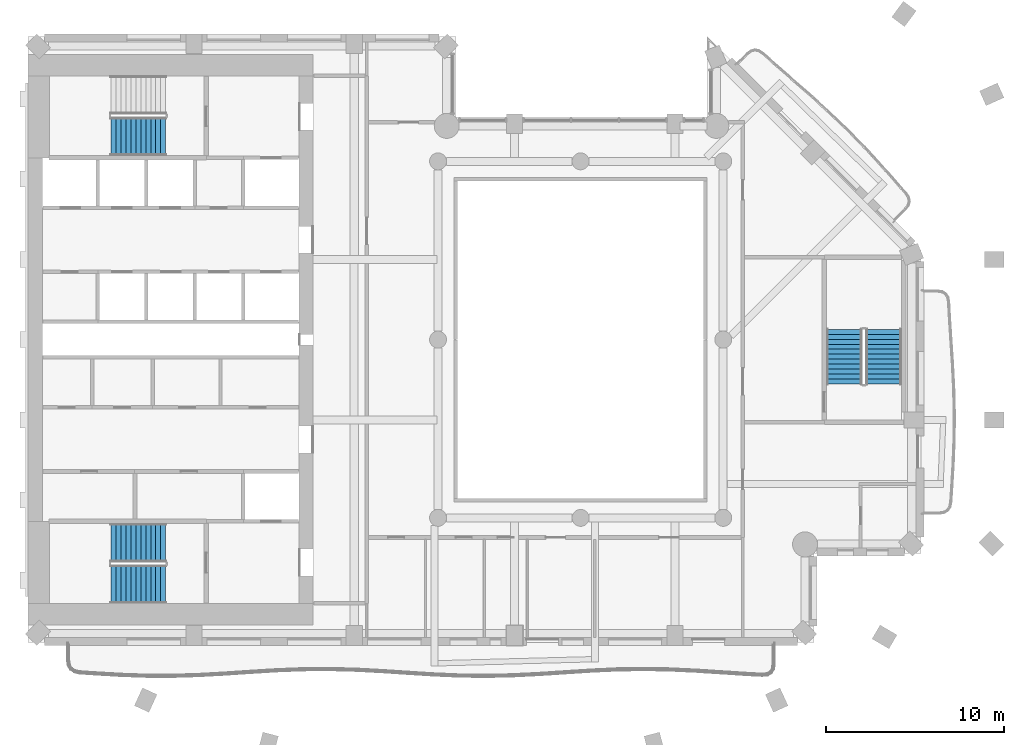
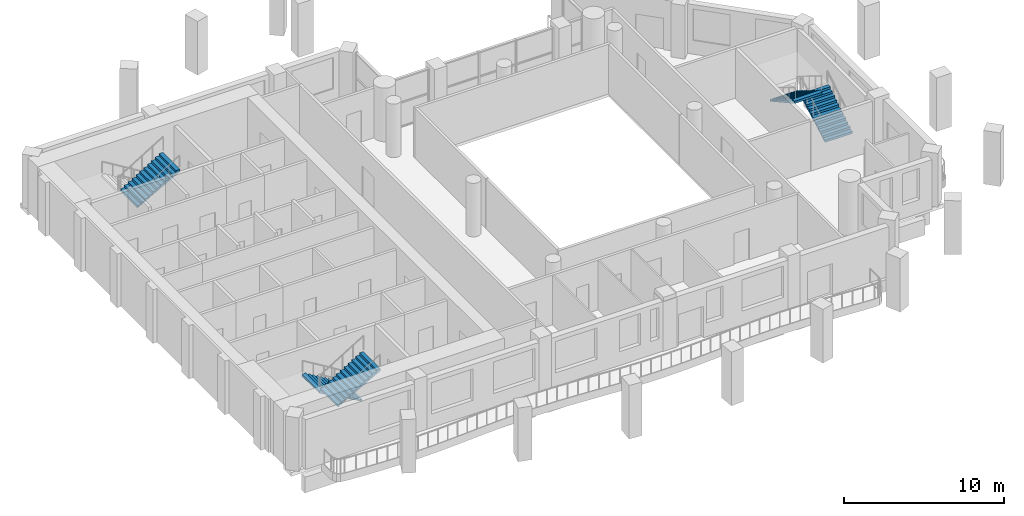
# One storey, part 7 of 13: 5 stair flights, 3 elements without a shape of their own.
"""IFC4 building model written with IfcOpenShell, lengths in metres."""

from ifc_helpers import new_model, si_unit, direction, frame, origin, place, context, subcontext, project, spatial, triangles, material, type_object, element, aggregate, save


model = new_model("IFC4")

# Units and contexts
model_context = context("Model", 3, precision=1e-05, world=origin(), true_north=direction((0.0, 1.0)))
body_context = subcontext(model_context, "Body", "Model", "MODEL_VIEW")
ifc_project = project(units=[si_unit("LENGTHUNIT", "METRE"), si_unit("AREAUNIT", "SQUARE_METRE"), si_unit("VOLUMEUNIT", "CUBIC_METRE"), si_unit("PLANEANGLEUNIT", "RADIAN"), si_unit("MASSUNIT", "GRAM", prefix="KILO")], contexts=[model_context])

# Site, building, storey
site_placement = place(None, origin())
site = spatial("IfcSite", under=ifc_project, at=site_placement, CompositionType="ELEMENT")
building_placement = place(site_placement, origin())
building = spatial("IfcBuilding", under=site, at=building_placement, Name="Cypress Arch Tower", CompositionType="ELEMENT")
storey_placement = place(building_placement, frame((0.0, 0.0, 189.199951171875)))
storey = spatial("IfcBuildingStorey", under=building, at=storey_placement, Name="L41", CompositionType="ELEMENT", Elevation=189.199951171875)

# Stair, stair flights
ifc_material_1 = material(Name="Concrete C40/50", Category="concrete")
stair_type_1 = type_object("IfcStairType", Name="Exit stair ES1708-200", PredefinedType="HALF_TURN_STAIR", material=ifc_material_1)
stair_1_placement = place(storey_placement, origin())
stair_1 = element("IfcStair", 1, at=stair_1_placement, inside=storey, type_object=stair_type_1, Name="L41 Exit stair C", PredefinedType="HALF_TURN_STAIR")
ifc_material_2 = material(Name="Concrete C40/50", Category="concrete")
stair_flight_type_1 = type_object("IfcStairFlightType", Name="Exit stair flight ES1708-200", PredefinedType="STRAIGHT", material=ifc_material_2)
stair_flight_1_placement = place(storey_placement, frame((18.0, -2.5, 0.0), z_axis=(0.0, 0.0, 1.0), x_axis=(0.0, 1.0, 0.0)))
stair_flight_1 = element("IfcStairFlight", 2, at=stair_flight_1_placement, type_object=stair_flight_type_1, Name="C flight 1", NumberOfRisers=12, NumberOfTreads=11, PredefinedType="STRAIGHT", RiserHeight=0.170833333, TreadLength=0.28, context=body_context, shape_type="Tessellation", body=[
    triangles([(0.0, -1.0, 0.0), (0.0, -1.0, 0.1708984375), (0.280029296875, -1.0, 0.1708984375), (0.280029296875, -1.0, 0.341552734375), (0.56005859375, -1.0, 0.341552734375), (0.56005859375, -1.0, 0.512451171875), (0.840087890625, -1.0, 0.512451171875), (0.840087890625, -1.0, 0.683349609375), (1.1201171875, -1.0, 0.683349609375), (1.1201171875, -1.0, 0.854248046875), (1.39990234375, -1.0, 0.854248046875), (1.39990234375, -1.0, 1.02490234375), (1.679931640625, -1.0, 1.02490234375), (1.679931640625, -1.0, 1.19580078125), (1.9599609375, -1.0, 1.19580078125), (1.9599609375, -1.0, 1.36669921875), (2.239990234375, -1.0, 1.36669921875), (2.239990234375, -1.0, 1.53759765625), (2.52001953125, -1.0, 1.53759765625), (2.52001953125, -1.0, 1.708251953125), (2.800048828125, -1.0, 1.708251953125), (2.800048828125, -1.0, 1.879150390625), (3.080078125, -1.0, 1.879150390625), (3.080078125, -1.0, 1.70361328125), (3.080078125, 1.0, 1.70361328125), (3.080078125, 1.0, 1.879150390625), (2.800048828125, 1.0, 1.879150390625), (2.800048828125, 1.0, 1.708251953125), (2.52001953125, 1.0, 1.708251953125), (2.52001953125, 1.0, 1.53759765625), (2.239990234375, 1.0, 1.53759765625), (2.239990234375, 1.0, 1.36669921875), (1.9599609375, 1.0, 1.36669921875), (1.9599609375, 1.0, 1.19580078125), (1.679931640625, 1.0, 1.19580078125), (1.679931640625, 1.0, 1.02490234375), (1.39990234375, 1.0, 1.02490234375), (1.39990234375, 1.0, 0.854248046875), (1.1201171875, 1.0, 0.854248046875), (1.1201171875, 1.0, 0.683349609375), (0.840087890625, 1.0, 0.683349609375), (0.840087890625, 1.0, 0.512451171875), (0.56005859375, 1.0, 0.512451171875), (0.56005859375, 1.0, 0.341552734375), (0.280029296875, 1.0, 0.341552734375), (0.280029296875, 1.0, 0.1708984375), (0.0, 1.0, 0.1708984375), (0.0, 1.0, 0.0), (3.080078125, 0.0, 1.879150390625), (3.080078125, 0.0, 1.70361328125), (2.800048828125, 0.0, 1.879150390625), (2.800048828125, 0.0, 1.708251953125), (2.52001953125, 0.0, 1.708251953125), (2.52001953125, 0.0, 1.53759765625), (2.239990234375, 0.0, 1.53759765625), (2.239990234375, 0.0, 1.36669921875), (1.9599609375, 0.0, 1.36669921875), (1.9599609375, 0.0, 1.19580078125), (1.679931640625, 0.0, 1.19580078125), (1.679931640625, 0.0, 1.02490234375), (1.39990234375, 0.0, 1.02490234375), (1.39990234375, 0.0, 0.854248046875), (1.1201171875, 0.0, 0.854248046875), (1.1201171875, 0.0, 0.683349609375), (0.840087890625, 0.0, 0.683349609375), (0.840087890625, 0.0, 0.512451171875), (0.56005859375, 0.0, 0.512451171875), (0.56005859375, 0.0, 0.341552734375), (0.280029296875, 0.0, 0.341552734375), (0.280029296875, 0.0, 0.1708984375), (0.0, 0.0, 0.1708984375), (0.0, 0.0, 0.0)], [[24, 23, 22], [11, 10, 9], [19, 18, 17], [17, 16, 15], [15, 14, 13], [9, 8, 7], [7, 6, 5], [3, 2, 1], [21, 20, 19], [13, 12, 11], [5, 4, 3], [24, 22, 21], [24, 21, 19], [24, 19, 17], [24, 17, 15], [24, 15, 13], [24, 13, 11], [24, 11, 9], [24, 9, 7], [24, 7, 5], [1, 24, 5], [5, 3, 1], [25, 27, 26], [38, 40, 39], [30, 32, 31], [32, 34, 33], [34, 36, 35], [40, 42, 41], [42, 44, 43], [46, 48, 47], [28, 30, 29], [36, 38, 37], [44, 46, 45], [25, 28, 27], [25, 30, 28], [25, 32, 30], [25, 34, 32], [25, 36, 34], [25, 38, 36], [25, 40, 38], [25, 42, 40], [25, 44, 42], [48, 44, 25], [44, 48, 46], [50, 49, 23], [50, 23, 24], [25, 26, 49], [25, 49, 50], [49, 51, 22], [49, 22, 23], [26, 27, 51], [26, 51, 49], [51, 52, 21], [51, 21, 22], [27, 28, 52], [27, 52, 51], [52, 53, 20], [52, 20, 21], [28, 29, 53], [28, 53, 52], [53, 54, 19], [53, 19, 20], [29, 30, 54], [29, 54, 53], [54, 55, 18], [54, 18, 19], [30, 31, 55], [30, 55, 54], [55, 56, 17], [55, 17, 18], [31, 32, 56], [31, 56, 55], [56, 57, 16], [56, 16, 17], [32, 33, 57], [32, 57, 56], [57, 58, 15], [57, 15, 16], [33, 34, 58], [33, 58, 57], [58, 59, 14], [58, 14, 15], [34, 35, 59], [34, 59, 58], [59, 60, 13], [59, 13, 14], [35, 36, 60], [35, 60, 59], [60, 61, 12], [60, 12, 13], [36, 37, 61], [36, 61, 60], [61, 62, 11], [61, 11, 12], [37, 38, 62], [37, 62, 61], [62, 63, 10], [62, 10, 11], [38, 39, 63], [38, 63, 62], [63, 64, 9], [63, 9, 10], [39, 40, 64], [39, 64, 63], [64, 65, 8], [64, 8, 9], [40, 41, 65], [40, 65, 64], [65, 66, 7], [65, 7, 8], [41, 42, 66], [41, 66, 65], [66, 67, 6], [66, 6, 7], [42, 43, 67], [42, 67, 66], [67, 68, 5], [67, 5, 6], [43, 44, 68], [43, 68, 67], [68, 69, 4], [68, 4, 5], [44, 45, 69], [44, 69, 68], [69, 70, 3], [69, 3, 4], [45, 46, 70], [45, 70, 69], [70, 71, 2], [70, 2, 3], [46, 47, 71], [46, 71, 70], [71, 72, 1], [71, 1, 2], [47, 48, 72], [47, 72, 71], [72, 50, 24], [72, 24, 1], [48, 25, 50], [48, 50, 72]], closed=True),
])
stair_flight_2_placement = place(storey_placement, frame((15.800048828125, 0.580078125, 2.050048828125), z_axis=(0.0, 0.0, 1.0), x_axis=(0.0, -1.0, 0.0)))
stair_flight_2 = element("IfcStairFlight", 3, at=stair_flight_2_placement, type_object=stair_flight_type_1, Name="C flight 2", NumberOfRisers=12, NumberOfTreads=11, PredefinedType="STRAIGHT", RiserHeight=0.170833333, TreadLength=0.28, context=body_context, shape_type="Tessellation", body=[
    triangles([(0.0, -1.0, 0.0), (0.0, -1.0, 0.1708984375), (0.280029296875, -1.0, 0.1708984375), (0.280029296875, -1.0, 0.341552734375), (0.56005859375, -1.0, 0.341552734375), (0.56005859375, -1.0, 0.512451171875), (0.840087890625, -1.0, 0.512451171875), (0.840087890625, -1.0, 0.683349609375), (1.1201171875, -1.0, 0.683349609375), (1.1201171875, -1.0, 0.854248046875), (1.39990234375, -1.0, 0.854248046875), (1.39990234375, -1.0, 1.02490234375), (1.679931640625, -1.0, 1.02490234375), (1.679931640625, -1.0, 1.19580078125), (1.9599609375, -1.0, 1.19580078125), (1.9599609375, -1.0, 1.36669921875), (2.239990234375, -1.0, 1.36669921875), (2.239990234375, -1.0, 1.53759765625), (2.52001953125, -1.0, 1.53759765625), (2.52001953125, -1.0, 1.708251953125), (2.800048828125, -1.0, 1.708251953125), (2.800048828125, -1.0, 1.879150390625), (3.080078125, -1.0, 1.879150390625), (3.080078125, -1.0, 1.70361328125), (3.080078125, 1.0, 1.70361328125), (3.080078125, 1.0, 1.879150390625), (2.800048828125, 1.0, 1.879150390625), (2.800048828125, 1.0, 1.708251953125), (2.52001953125, 1.0, 1.708251953125), (2.52001953125, 1.0, 1.53759765625), (2.239990234375, 1.0, 1.53759765625), (2.239990234375, 1.0, 1.36669921875), (1.9599609375, 1.0, 1.36669921875), (1.9599609375, 1.0, 1.19580078125), (1.679931640625, 1.0, 1.19580078125), (1.679931640625, 1.0, 1.02490234375), (1.39990234375, 1.0, 1.02490234375), (1.39990234375, 1.0, 0.854248046875), (1.1201171875, 1.0, 0.854248046875), (1.1201171875, 1.0, 0.683349609375), (0.840087890625, 1.0, 0.683349609375), (0.840087890625, 1.0, 0.512451171875), (0.56005859375, 1.0, 0.512451171875), (0.56005859375, 1.0, 0.341552734375), (0.280029296875, 1.0, 0.341552734375), (0.280029296875, 1.0, 0.1708984375), (0.0, 1.0, 0.1708984375), (0.0, 1.0, 0.0), (3.080078125, 0.0, 1.879150390625), (3.080078125, 0.0, 1.70361328125), (2.800048828125, 0.0, 1.879150390625), (2.800048828125, 0.0, 1.708251953125), (2.52001953125, 0.0, 1.708251953125), (2.52001953125, 0.0, 1.53759765625), (2.239990234375, 0.0, 1.53759765625), (2.239990234375, 0.0, 1.36669921875), (1.9599609375, 0.0, 1.36669921875), (1.9599609375, 0.0, 1.19580078125), (1.679931640625, 0.0, 1.19580078125), (1.679931640625, 0.0, 1.02490234375), (1.39990234375, 0.0, 1.02490234375), (1.39990234375, 0.0, 0.854248046875), (1.1201171875, 0.0, 0.854248046875), (1.1201171875, 0.0, 0.683349609375), (0.840087890625, 0.0, 0.683349609375), (0.840087890625, 0.0, 0.512451171875), (0.56005859375, 0.0, 0.512451171875), (0.56005859375, 0.0, 0.341552734375), (0.280029296875, 0.0, 0.341552734375), (0.280029296875, 0.0, 0.1708984375), (0.0, 0.0, 0.1708984375), (0.0, 0.0, 0.0)], [[24, 23, 22], [11, 10, 9], [19, 18, 17], [17, 16, 15], [15, 14, 13], [9, 8, 7], [7, 6, 5], [3, 2, 1], [21, 20, 19], [13, 12, 11], [5, 4, 3], [24, 22, 21], [24, 21, 19], [24, 19, 17], [24, 17, 15], [24, 15, 13], [24, 13, 11], [24, 11, 9], [24, 9, 7], [24, 7, 5], [1, 24, 5], [5, 3, 1], [25, 27, 26], [38, 40, 39], [30, 32, 31], [32, 34, 33], [34, 36, 35], [40, 42, 41], [42, 44, 43], [46, 48, 47], [28, 30, 29], [36, 38, 37], [44, 46, 45], [25, 28, 27], [25, 30, 28], [25, 32, 30], [25, 34, 32], [25, 36, 34], [25, 38, 36], [25, 40, 38], [25, 42, 40], [25, 44, 42], [48, 44, 25], [44, 48, 46], [50, 49, 23], [50, 23, 24], [25, 26, 49], [25, 49, 50], [49, 51, 22], [49, 22, 23], [26, 27, 51], [26, 51, 49], [51, 52, 21], [51, 21, 22], [27, 28, 52], [27, 52, 51], [52, 53, 20], [52, 20, 21], [28, 29, 53], [28, 53, 52], [53, 54, 19], [53, 19, 20], [29, 30, 54], [29, 54, 53], [54, 55, 18], [54, 18, 19], [30, 31, 55], [30, 55, 54], [55, 56, 17], [55, 17, 18], [31, 32, 56], [31, 56, 55], [56, 57, 16], [56, 16, 17], [32, 33, 57], [32, 57, 56], [57, 58, 15], [57, 15, 16], [33, 34, 58], [33, 58, 57], [58, 59, 14], [58, 14, 15], [34, 35, 59], [34, 59, 58], [59, 60, 13], [59, 13, 14], [35, 36, 60], [35, 60, 59], [60, 61, 12], [60, 12, 13], [36, 37, 61], [36, 61, 60], [61, 62, 11], [61, 11, 12], [37, 38, 62], [37, 62, 61], [62, 63, 10], [62, 10, 11], [38, 39, 63], [38, 63, 62], [63, 64, 9], [63, 9, 10], [39, 40, 64], [39, 64, 63], [64, 65, 8], [64, 8, 9], [40, 41, 65], [40, 65, 64], [65, 66, 7], [65, 7, 8], [41, 42, 66], [41, 66, 65], [66, 67, 6], [66, 6, 7], [42, 43, 67], [42, 67, 66], [67, 68, 5], [67, 5, 6], [43, 44, 68], [43, 68, 67], [68, 69, 4], [68, 4, 5], [44, 45, 69], [44, 69, 68], [69, 70, 3], [69, 3, 4], [45, 46, 70], [45, 70, 69], [70, 71, 2], [70, 2, 3], [46, 47, 71], [46, 71, 70], [71, 72, 1], [71, 1, 2], [47, 48, 72], [47, 72, 71], [72, 50, 24], [72, 24, 1], [48, 25, 50], [48, 50, 72]], closed=True),
])
aggregate(stair_1, [stair_flight_1, stair_flight_2])

ifc_material_3 = material(Name="Concrete C40/50", Category="concrete")
stair_type_2 = type_object("IfcStairType", Name="Exit stair ES1708-215", PredefinedType="HALF_TURN_STAIR", material=ifc_material_3)
stair_2_placement = place(storey_placement, origin())
stair_2 = element("IfcStair", 4, at=stair_2_placement, inside=storey, type_object=stair_type_2, Name="L41 Exit stair A", PredefinedType="HALF_TURN_STAIR")
ifc_material_4 = material(Name="Concrete C40/50", Category="concrete")
stair_flight_type_2 = type_object("IfcStairFlightType", Name="Exit stair flight ES1708-215", PredefinedType="STRAIGHT", material=ifc_material_4)
stair_flight_3_placement = place(storey_placement, frame((-22.27490234375, -11.39990234375, 0.0), z_axis=(0.0, 0.0, 1.0), x_axis=(-1.0, 0.0, 0.0)))
stair_flight_3 = element("IfcStairFlight", 5, at=stair_flight_3_placement, type_object=stair_flight_type_2, Name="A flight 1", NumberOfRisers=12, NumberOfTreads=11, PredefinedType="STRAIGHT", RiserHeight=0.170833333, TreadLength=0.28, context=body_context, shape_type="Tessellation", body=[
    triangles([(0.0, -1.074951171875, 0.0), (0.000244140625, -1.074951171875, 0.01904296875), (0.000244140625, -1.074951171875, 0.0380859375), (0.00048828125, -1.074951171875, 0.056884765625), (0.00048828125, -1.074951171875, 0.075927734375), (0.00048828125, -1.074951171875, 0.094970703125), (0.00048828125, -1.074951171875, 0.114013671875), (0.000244140625, -1.074951171875, 0.1328125), (0.000244140625, -1.074951171875, 0.15185546875), (0.0, -1.074951171875, 0.1708984375), (0.280029296875, -1.074951171875, 0.1708984375), (0.280029296875, -1.074951171875, 0.341552734375), (0.56005859375, -1.074951171875, 0.341552734375), (0.56005859375, -1.074951171875, 0.512451171875), (0.840087890625, -1.074951171875, 0.512451171875), (0.840087890625, -1.074951171875, 0.683349609375), (1.1201171875, -1.074951171875, 0.683349609375), (1.1201171875, -1.074951171875, 0.854248046875), (1.39990234375, -1.074951171875, 0.854248046875), (1.39990234375, -1.074951171875, 1.02490234375), (1.679931640625, -1.074951171875, 1.02490234375), (1.679931640625, -1.074951171875, 1.19580078125), (1.9599609375, -1.074951171875, 1.19580078125), (1.9599609375, -1.074951171875, 1.36669921875), (2.239990234375, -1.074951171875, 1.36669921875), (2.239990234375, -1.074951171875, 1.53759765625), (2.52001953125, -1.074951171875, 1.53759765625), (2.52001953125, -1.074951171875, 1.708251953125), (2.800048828125, -1.074951171875, 1.708251953125), (2.800048828125, -1.074951171875, 1.879150390625), (3.080078125, -1.074951171875, 1.879150390625), (3.079833984375, -1.074951171875, 1.859619140625), (3.079833984375, -1.074951171875, 1.840087890625), (3.07958984375, -1.074951171875, 1.820556640625), (3.07958984375, -1.074951171875, 1.801025390625), (3.07958984375, -1.074951171875, 1.78173828125), (3.07958984375, -1.074951171875, 1.76220703125), (3.079833984375, -1.074951171875, 1.74267578125), (3.079833984375, -1.074951171875, 1.72314453125), (3.080078125, -1.074951171875, 1.70361328125), (3.080078125, 1.074951171875, 1.70361328125), (3.079833984375, 1.074951171875, 1.72314453125), (3.079833984375, 1.074951171875, 1.74267578125), (3.07958984375, 1.074951171875, 1.76220703125), (3.07958984375, 1.074951171875, 1.78173828125), (3.07958984375, 1.074951171875, 1.801025390625), (3.07958984375, 1.074951171875, 1.820556640625), (3.079833984375, 1.074951171875, 1.840087890625), (3.079833984375, 1.074951171875, 1.859619140625), (3.080078125, 1.074951171875, 1.879150390625), (2.800048828125, 1.074951171875, 1.879150390625), (2.800048828125, 1.074951171875, 1.708251953125), (2.52001953125, 1.074951171875, 1.708251953125), (2.52001953125, 1.074951171875, 1.53759765625), (2.239990234375, 1.074951171875, 1.53759765625), (2.239990234375, 1.074951171875, 1.36669921875), (1.9599609375, 1.074951171875, 1.36669921875), (1.9599609375, 1.074951171875, 1.19580078125), (1.679931640625, 1.074951171875, 1.19580078125), (1.679931640625, 1.074951171875, 1.02490234375), (1.39990234375, 1.074951171875, 1.02490234375), (1.39990234375, 1.074951171875, 0.854248046875), (1.1201171875, 1.074951171875, 0.854248046875), (1.1201171875, 1.074951171875, 0.683349609375), (0.840087890625, 1.074951171875, 0.683349609375), (0.840087890625, 1.074951171875, 0.512451171875), (0.56005859375, 1.074951171875, 0.512451171875), (0.56005859375, 1.074951171875, 0.341552734375), (0.280029296875, 1.074951171875, 0.341552734375), (0.280029296875, 1.074951171875, 0.1708984375), (0.0, 1.074951171875, 0.1708984375), (0.000244140625, 1.074951171875, 0.15185546875), (0.000244140625, 1.074951171875, 0.1328125), (0.00048828125, 1.074951171875, 0.114013671875), (0.00048828125, 1.074951171875, 0.094970703125), (0.00048828125, 1.074951171875, 0.075927734375), (0.00048828125, 1.074951171875, 0.056884765625), (0.000244140625, 1.074951171875, 0.0380859375), (0.000244140625, 1.074951171875, 0.01904296875), (0.0, 1.074951171875, 0.0)], [[40, 39, 30], [39, 38, 30], [38, 37, 30], [37, 36, 30], [36, 35, 30], [35, 34, 30], [34, 33, 30], [33, 32, 30], [32, 31, 30], [19, 18, 17], [27, 26, 25], [25, 24, 23], [23, 22, 21], [17, 16, 15], [15, 14, 13], [10, 9, 11], [9, 8, 11], [8, 7, 11], [7, 6, 11], [6, 5, 11], [5, 4, 11], [4, 3, 11], [3, 2, 11], [2, 1, 11], [29, 28, 27], [21, 20, 19], [13, 12, 11], [40, 30, 29], [40, 29, 27], [40, 27, 25], [40, 25, 23], [40, 23, 21], [40, 21, 19], [40, 19, 17], [40, 17, 15], [40, 15, 13], [1, 40, 13], [13, 11, 1], [41, 51, 42], [42, 51, 43], [43, 51, 44], [44, 51, 45], [45, 51, 46], [46, 51, 47], [47, 51, 48], [48, 51, 49], [49, 51, 50], [62, 64, 63], [54, 56, 55], [56, 58, 57], [58, 60, 59], [64, 66, 65], [66, 68, 67], [71, 70, 72], [72, 70, 73], [73, 70, 74], [74, 70, 75], [75, 70, 76], [76, 70, 77], [77, 70, 78], [78, 70, 79], [79, 70, 80], [52, 54, 53], [60, 62, 61], [68, 70, 69], [41, 52, 51], [41, 54, 52], [41, 56, 54], [41, 58, 56], [41, 60, 58], [41, 62, 60], [41, 64, 62], [41, 66, 64], [41, 68, 66], [80, 68, 41], [68, 80, 70], [41, 42, 39], [41, 39, 40], [42, 43, 38], [42, 38, 39], [43, 44, 37], [43, 37, 38], [44, 45, 36], [44, 36, 37], [45, 46, 35], [45, 35, 36], [46, 47, 34], [46, 34, 35], [47, 48, 33], [47, 33, 34], [48, 49, 32], [48, 32, 33], [49, 50, 31], [49, 31, 32], [50, 51, 30], [50, 30, 31], [51, 52, 29], [51, 29, 30], [52, 53, 28], [52, 28, 29], [53, 54, 27], [53, 27, 28], [54, 55, 26], [54, 26, 27], [55, 56, 25], [55, 25, 26], [56, 57, 24], [56, 24, 25], [57, 58, 23], [57, 23, 24], [58, 59, 22], [58, 22, 23], [59, 60, 21], [59, 21, 22], [60, 61, 20], [60, 20, 21], [61, 62, 19], [61, 19, 20], [62, 63, 18], [62, 18, 19], [63, 64, 17], [63, 17, 18], [64, 65, 16], [64, 16, 17], [65, 66, 15], [65, 15, 16], [66, 67, 14], [66, 14, 15], [67, 68, 13], [67, 13, 14], [68, 69, 12], [68, 12, 13], [69, 70, 11], [69, 11, 12], [70, 71, 10], [70, 10, 11], [71, 72, 9], [71, 9, 10], [72, 73, 8], [72, 8, 9], [73, 74, 7], [73, 7, 8], [74, 75, 6], [74, 6, 7], [75, 76, 5], [75, 5, 6], [76, 77, 4], [76, 4, 5], [77, 78, 3], [77, 3, 4], [78, 79, 2], [78, 2, 3], [79, 80, 1], [79, 1, 2], [80, 41, 40], [80, 40, 1]], closed=True),
])
stair_flight_4_placement = place(storey_placement, frame((-25.35498046875, -13.72509765625, 2.050048828125), z_axis=(0.0, 0.0, 1.0), x_axis=(1.0, 0.0, 0.0)))
stair_flight_4 = element("IfcStairFlight", 6, at=stair_flight_4_placement, type_object=stair_flight_type_2, Name="A flight 2", NumberOfRisers=12, NumberOfTreads=11, PredefinedType="STRAIGHT", RiserHeight=0.170833333, TreadLength=0.28, context=body_context, shape_type="Tessellation", body=[
    triangles([(0.0, -1.074951171875, 0.0), (0.000244140625, -1.074951171875, 0.01904296875), (0.000244140625, -1.074951171875, 0.0380859375), (0.00048828125, -1.074951171875, 0.056884765625), (0.00048828125, -1.074951171875, 0.075927734375), (0.00048828125, -1.074951171875, 0.094970703125), (0.00048828125, -1.074951171875, 0.114013671875), (0.000244140625, -1.074951171875, 0.1328125), (0.000244140625, -1.074951171875, 0.15185546875), (0.0, -1.074951171875, 0.1708984375), (0.280029296875, -1.074951171875, 0.1708984375), (0.280029296875, -1.074951171875, 0.341552734375), (0.56005859375, -1.074951171875, 0.341552734375), (0.56005859375, -1.074951171875, 0.512451171875), (0.840087890625, -1.074951171875, 0.512451171875), (0.840087890625, -1.074951171875, 0.683349609375), (1.1201171875, -1.074951171875, 0.683349609375), (1.1201171875, -1.074951171875, 0.854248046875), (1.39990234375, -1.074951171875, 0.854248046875), (1.39990234375, -1.074951171875, 1.02490234375), (1.679931640625, -1.074951171875, 1.02490234375), (1.679931640625, -1.074951171875, 1.19580078125), (1.9599609375, -1.074951171875, 1.19580078125), (1.9599609375, -1.074951171875, 1.36669921875), (2.239990234375, -1.074951171875, 1.36669921875), (2.239990234375, -1.074951171875, 1.53759765625), (2.52001953125, -1.074951171875, 1.53759765625), (2.52001953125, -1.074951171875, 1.708251953125), (2.800048828125, -1.074951171875, 1.708251953125), (2.800048828125, -1.074951171875, 1.879150390625), (3.080078125, -1.074951171875, 1.879150390625), (3.079833984375, -1.074951171875, 1.859619140625), (3.079833984375, -1.074951171875, 1.840087890625), (3.07958984375, -1.074951171875, 1.820556640625), (3.07958984375, -1.074951171875, 1.801025390625), (3.07958984375, -1.074951171875, 1.78173828125), (3.07958984375, -1.074951171875, 1.76220703125), (3.079833984375, -1.074951171875, 1.74267578125), (3.079833984375, -1.074951171875, 1.72314453125), (3.080078125, -1.074951171875, 1.70361328125), (3.080078125, 1.074951171875, 1.70361328125), (3.079833984375, 1.074951171875, 1.72314453125), (3.079833984375, 1.074951171875, 1.74267578125), (3.07958984375, 1.074951171875, 1.76220703125), (3.07958984375, 1.074951171875, 1.78173828125), (3.07958984375, 1.074951171875, 1.801025390625), (3.07958984375, 1.074951171875, 1.820556640625), (3.079833984375, 1.074951171875, 1.840087890625), (3.079833984375, 1.074951171875, 1.859619140625), (3.080078125, 1.074951171875, 1.879150390625), (2.800048828125, 1.074951171875, 1.879150390625), (2.800048828125, 1.074951171875, 1.708251953125), (2.52001953125, 1.074951171875, 1.708251953125), (2.52001953125, 1.074951171875, 1.53759765625), (2.239990234375, 1.074951171875, 1.53759765625), (2.239990234375, 1.074951171875, 1.36669921875), (1.9599609375, 1.074951171875, 1.36669921875), (1.9599609375, 1.074951171875, 1.19580078125), (1.679931640625, 1.074951171875, 1.19580078125), (1.679931640625, 1.074951171875, 1.02490234375), (1.39990234375, 1.074951171875, 1.02490234375), (1.39990234375, 1.074951171875, 0.854248046875), (1.1201171875, 1.074951171875, 0.854248046875), (1.1201171875, 1.074951171875, 0.683349609375), (0.840087890625, 1.074951171875, 0.683349609375), (0.840087890625, 1.074951171875, 0.512451171875), (0.56005859375, 1.074951171875, 0.512451171875), (0.56005859375, 1.074951171875, 0.341552734375), (0.280029296875, 1.074951171875, 0.341552734375), (0.280029296875, 1.074951171875, 0.1708984375), (0.0, 1.074951171875, 0.1708984375), (0.000244140625, 1.074951171875, 0.15185546875), (0.000244140625, 1.074951171875, 0.1328125), (0.00048828125, 1.074951171875, 0.114013671875), (0.00048828125, 1.074951171875, 0.094970703125), (0.00048828125, 1.074951171875, 0.075927734375), (0.00048828125, 1.074951171875, 0.056884765625), (0.000244140625, 1.074951171875, 0.0380859375), (0.000244140625, 1.074951171875, 0.01904296875), (0.0, 1.074951171875, 0.0)], [[40, 39, 30], [39, 38, 30], [38, 37, 30], [37, 36, 30], [36, 35, 30], [35, 34, 30], [34, 33, 30], [33, 32, 30], [32, 31, 30], [19, 18, 17], [27, 26, 25], [25, 24, 23], [23, 22, 21], [17, 16, 15], [15, 14, 13], [10, 9, 11], [9, 8, 11], [8, 7, 11], [7, 6, 11], [6, 5, 11], [5, 4, 11], [4, 3, 11], [3, 2, 11], [2, 1, 11], [29, 28, 27], [21, 20, 19], [13, 12, 11], [40, 30, 29], [40, 29, 27], [40, 27, 25], [40, 25, 23], [40, 23, 21], [40, 21, 19], [40, 19, 17], [40, 17, 15], [40, 15, 13], [1, 40, 13], [13, 11, 1], [41, 51, 42], [42, 51, 43], [43, 51, 44], [44, 51, 45], [45, 51, 46], [46, 51, 47], [47, 51, 48], [48, 51, 49], [49, 51, 50], [62, 64, 63], [54, 56, 55], [56, 58, 57], [58, 60, 59], [64, 66, 65], [66, 68, 67], [71, 70, 72], [72, 70, 73], [73, 70, 74], [74, 70, 75], [75, 70, 76], [76, 70, 77], [77, 70, 78], [78, 70, 79], [79, 70, 80], [52, 54, 53], [60, 62, 61], [68, 70, 69], [41, 52, 51], [41, 54, 52], [41, 56, 54], [41, 58, 56], [41, 60, 58], [41, 62, 60], [41, 64, 62], [41, 66, 64], [41, 68, 66], [80, 68, 41], [68, 80, 70], [41, 42, 39], [41, 39, 40], [42, 43, 38], [42, 38, 39], [43, 44, 37], [43, 37, 38], [44, 45, 36], [44, 36, 37], [45, 46, 35], [45, 35, 36], [46, 47, 34], [46, 34, 35], [47, 48, 33], [47, 33, 34], [48, 49, 32], [48, 32, 33], [49, 50, 31], [49, 31, 32], [50, 51, 30], [50, 30, 31], [51, 52, 29], [51, 29, 30], [52, 53, 28], [52, 28, 29], [53, 54, 27], [53, 27, 28], [54, 55, 26], [54, 26, 27], [55, 56, 25], [55, 25, 26], [56, 57, 24], [56, 24, 25], [57, 58, 23], [57, 23, 24], [58, 59, 22], [58, 22, 23], [59, 60, 21], [59, 21, 22], [60, 61, 20], [60, 20, 21], [61, 62, 19], [61, 19, 20], [62, 63, 18], [62, 18, 19], [63, 64, 17], [63, 17, 18], [64, 65, 16], [64, 16, 17], [65, 66, 15], [65, 15, 16], [66, 67, 14], [66, 14, 15], [67, 68, 13], [67, 13, 14], [68, 69, 12], [68, 12, 13], [69, 70, 11], [69, 11, 12], [70, 71, 10], [70, 10, 11], [71, 72, 9], [71, 9, 10], [72, 73, 8], [72, 8, 9], [73, 74, 7], [73, 7, 8], [74, 75, 6], [74, 6, 7], [75, 76, 5], [75, 5, 6], [76, 77, 4], [76, 4, 5], [77, 78, 3], [77, 3, 4], [78, 79, 2], [78, 2, 3], [79, 80, 1], [79, 1, 2], [80, 41, 40], [80, 40, 1]], closed=True),
])
aggregate(stair_2, [stair_flight_3, stair_flight_4])

# Stair, stair flight
stair_3_placement = place(storey_placement, origin())
stair_3 = element("IfcStair", 7, at=stair_3_placement, inside=storey, type_object=stair_type_2, Name="L41 Exit stair B", PredefinedType="HALF_TURN_STAIR")
stair_flight_5_placement = place(storey_placement, frame((-25.35498046875, 11.39990234375, 2.050048828125), z_axis=(0.0, 0.0, 1.0), x_axis=(1.0, 0.0, 0.0)))
stair_flight_5 = element("IfcStairFlight", 8, at=stair_flight_5_placement, type_object=stair_flight_type_2, Name="B flight 2", NumberOfRisers=12, NumberOfTreads=11, PredefinedType="STRAIGHT", RiserHeight=0.170833333, TreadLength=0.28, context=body_context, shape_type="Tessellation", body=[
    triangles([(0.0, -1.074951171875, 0.0), (0.000244140625, -1.074951171875, 0.01904296875), (0.000244140625, -1.074951171875, 0.0380859375), (0.00048828125, -1.074951171875, 0.056884765625), (0.00048828125, -1.074951171875, 0.075927734375), (0.00048828125, -1.074951171875, 0.094970703125), (0.00048828125, -1.074951171875, 0.114013671875), (0.000244140625, -1.074951171875, 0.1328125), (0.000244140625, -1.074951171875, 0.15185546875), (0.0, -1.074951171875, 0.1708984375), (0.280029296875, -1.074951171875, 0.1708984375), (0.280029296875, -1.074951171875, 0.341552734375), (0.56005859375, -1.074951171875, 0.341552734375), (0.56005859375, -1.074951171875, 0.512451171875), (0.840087890625, -1.074951171875, 0.512451171875), (0.840087890625, -1.074951171875, 0.683349609375), (1.1201171875, -1.074951171875, 0.683349609375), (1.1201171875, -1.074951171875, 0.854248046875), (1.39990234375, -1.074951171875, 0.854248046875), (1.39990234375, -1.074951171875, 1.02490234375), (1.679931640625, -1.074951171875, 1.02490234375), (1.679931640625, -1.074951171875, 1.19580078125), (1.9599609375, -1.074951171875, 1.19580078125), (1.9599609375, -1.074951171875, 1.36669921875), (2.239990234375, -1.074951171875, 1.36669921875), (2.239990234375, -1.074951171875, 1.53759765625), (2.52001953125, -1.074951171875, 1.53759765625), (2.52001953125, -1.074951171875, 1.708251953125), (2.800048828125, -1.074951171875, 1.708251953125), (2.800048828125, -1.074951171875, 1.879150390625), (3.080078125, -1.074951171875, 1.879150390625), (3.079833984375, -1.074951171875, 1.859619140625), (3.079833984375, -1.074951171875, 1.840087890625), (3.07958984375, -1.074951171875, 1.820556640625), (3.07958984375, -1.074951171875, 1.801025390625), (3.07958984375, -1.074951171875, 1.78173828125), (3.07958984375, -1.074951171875, 1.76220703125), (3.079833984375, -1.074951171875, 1.74267578125), (3.079833984375, -1.074951171875, 1.72314453125), (3.080078125, -1.074951171875, 1.70361328125), (3.080078125, 1.074951171875, 1.70361328125), (3.079833984375, 1.074951171875, 1.72314453125), (3.079833984375, 1.074951171875, 1.74267578125), (3.07958984375, 1.074951171875, 1.76220703125), (3.07958984375, 1.074951171875, 1.78173828125), (3.07958984375, 1.074951171875, 1.801025390625), (3.07958984375, 1.074951171875, 1.820556640625), (3.079833984375, 1.074951171875, 1.840087890625), (3.079833984375, 1.074951171875, 1.859619140625), (3.080078125, 1.074951171875, 1.879150390625), (2.800048828125, 1.074951171875, 1.879150390625), (2.800048828125, 1.074951171875, 1.708251953125), (2.52001953125, 1.074951171875, 1.708251953125), (2.52001953125, 1.074951171875, 1.53759765625), (2.239990234375, 1.074951171875, 1.53759765625), (2.239990234375, 1.074951171875, 1.36669921875), (1.9599609375, 1.074951171875, 1.36669921875), (1.9599609375, 1.074951171875, 1.19580078125), (1.679931640625, 1.074951171875, 1.19580078125), (1.679931640625, 1.074951171875, 1.02490234375), (1.39990234375, 1.074951171875, 1.02490234375), (1.39990234375, 1.074951171875, 0.854248046875), (1.1201171875, 1.074951171875, 0.854248046875), (1.1201171875, 1.074951171875, 0.683349609375), (0.840087890625, 1.074951171875, 0.683349609375), (0.840087890625, 1.074951171875, 0.512451171875), (0.56005859375, 1.074951171875, 0.512451171875), (0.56005859375, 1.074951171875, 0.341552734375), (0.280029296875, 1.074951171875, 0.341552734375), (0.280029296875, 1.074951171875, 0.1708984375), (0.0, 1.074951171875, 0.1708984375), (0.000244140625, 1.074951171875, 0.15185546875), (0.000244140625, 1.074951171875, 0.1328125), (0.00048828125, 1.074951171875, 0.114013671875), (0.00048828125, 1.074951171875, 0.094970703125), (0.00048828125, 1.074951171875, 0.075927734375), (0.00048828125, 1.074951171875, 0.056884765625), (0.000244140625, 1.074951171875, 0.0380859375), (0.000244140625, 1.074951171875, 0.01904296875), (0.0, 1.074951171875, 0.0)], [[40, 39, 30], [39, 38, 30], [38, 37, 30], [37, 36, 30], [36, 35, 30], [35, 34, 30], [34, 33, 30], [33, 32, 30], [32, 31, 30], [19, 18, 17], [27, 26, 25], [25, 24, 23], [23, 22, 21], [17, 16, 15], [15, 14, 13], [10, 9, 11], [9, 8, 11], [8, 7, 11], [7, 6, 11], [6, 5, 11], [5, 4, 11], [4, 3, 11], [3, 2, 11], [2, 1, 11], [29, 28, 27], [21, 20, 19], [13, 12, 11], [40, 30, 29], [40, 29, 27], [40, 27, 25], [40, 25, 23], [40, 23, 21], [40, 21, 19], [40, 19, 17], [40, 17, 15], [40, 15, 13], [1, 40, 13], [13, 11, 1], [41, 51, 42], [42, 51, 43], [43, 51, 44], [44, 51, 45], [45, 51, 46], [46, 51, 47], [47, 51, 48], [48, 51, 49], [49, 51, 50], [62, 64, 63], [54, 56, 55], [56, 58, 57], [58, 60, 59], [64, 66, 65], [66, 68, 67], [71, 70, 72], [72, 70, 73], [73, 70, 74], [74, 70, 75], [75, 70, 76], [76, 70, 77], [77, 70, 78], [78, 70, 79], [79, 70, 80], [52, 54, 53], [60, 62, 61], [68, 70, 69], [41, 52, 51], [41, 54, 52], [41, 56, 54], [41, 58, 56], [41, 60, 58], [41, 62, 60], [41, 64, 62], [41, 66, 64], [41, 68, 66], [80, 68, 41], [68, 80, 70], [41, 42, 39], [41, 39, 40], [42, 43, 38], [42, 38, 39], [43, 44, 37], [43, 37, 38], [44, 45, 36], [44, 36, 37], [45, 46, 35], [45, 35, 36], [46, 47, 34], [46, 34, 35], [47, 48, 33], [47, 33, 34], [48, 49, 32], [48, 32, 33], [49, 50, 31], [49, 31, 32], [50, 51, 30], [50, 30, 31], [51, 52, 29], [51, 29, 30], [52, 53, 28], [52, 28, 29], [53, 54, 27], [53, 27, 28], [54, 55, 26], [54, 26, 27], [55, 56, 25], [55, 25, 26], [56, 57, 24], [56, 24, 25], [57, 58, 23], [57, 23, 24], [58, 59, 22], [58, 22, 23], [59, 60, 21], [59, 21, 22], [60, 61, 20], [60, 20, 21], [61, 62, 19], [61, 19, 20], [62, 63, 18], [62, 18, 19], [63, 64, 17], [63, 17, 18], [64, 65, 16], [64, 16, 17], [65, 66, 15], [65, 15, 16], [66, 67, 14], [66, 14, 15], [67, 68, 13], [67, 13, 14], [68, 69, 12], [68, 12, 13], [69, 70, 11], [69, 11, 12], [70, 71, 10], [70, 10, 11], [71, 72, 9], [71, 9, 10], [72, 73, 8], [72, 8, 9], [73, 74, 7], [73, 7, 8], [74, 75, 6], [74, 6, 7], [75, 76, 5], [75, 5, 6], [76, 77, 4], [76, 4, 5], [77, 78, 3], [77, 3, 4], [78, 79, 2], [78, 2, 3], [79, 80, 1], [79, 1, 2], [80, 41, 40], [80, 40, 1]], closed=True),
])
aggregate(stair_3, [stair_flight_5])

save(model, "model.ifc")
